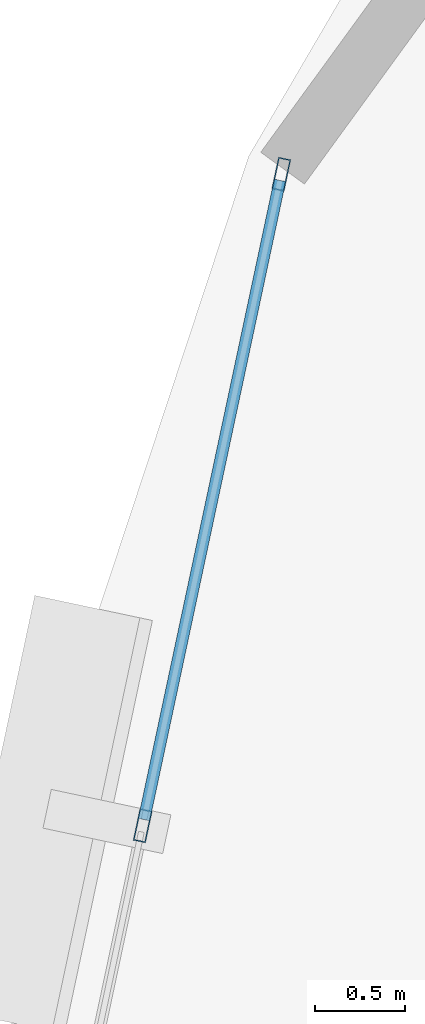
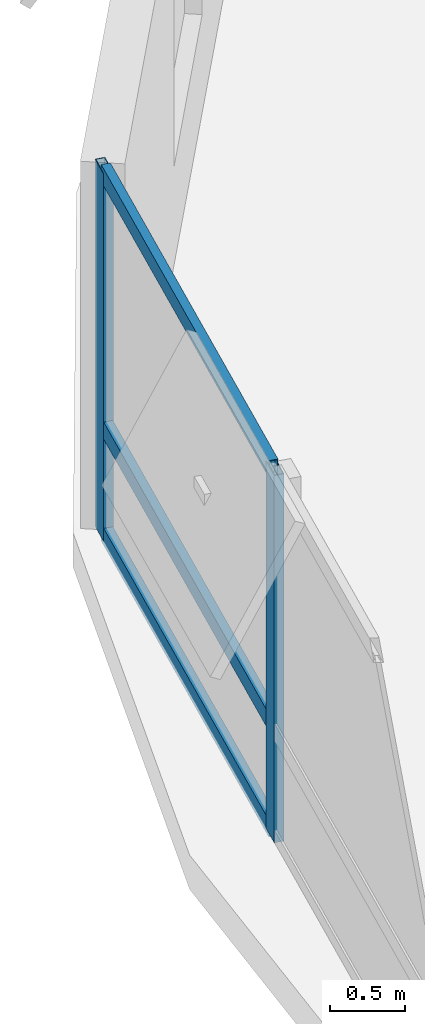
# One storey, part 6 of 17: 5 members, 1 element without a shape of its own.
"""IFC4 building model written with IfcOpenShell, lengths in metres."""

from ifc_helpers import new_model, si_unit, direction, frame, origin, origin_2d, place, context, subcontext, project, spatial, hollow_rectangle, extrude, material, layer, layer_set, material_profile, profile_set, type_object, element, aggregate, save


model = new_model("IFC4")

# Units and contexts
model_context = context("Model", 3, precision=1e-05, world=origin(), true_north=direction((0.0, 1.0)))
body_context = subcontext(model_context, "Body", "Model", "MODEL_VIEW")
ifc_project = project(units=[si_unit("LENGTHUNIT", "METRE"), si_unit("AREAUNIT", "SQUARE_METRE"), si_unit("VOLUMEUNIT", "CUBIC_METRE"), si_unit("PLANEANGLEUNIT", "RADIAN"), si_unit("MASSUNIT", "GRAM", prefix="KILO"), si_unit("THERMODYNAMICTEMPERATUREUNIT", "KELVIN"), si_unit("POWERUNIT", "WATT")], contexts=[model_context])

# Site, building, storey
site_placement = place(None, origin())
site = spatial("IfcSite", under=ifc_project, at=site_placement, CompositionType="ELEMENT")
building_placement = place(site_placement, origin())
building = spatial("IfcBuilding", under=site, at=building_placement, Name="Ocrelia Relay Tower", CompositionType="ELEMENT")
storey_placement = place(building_placement, frame((0.0, 0.0, 34.199951171875)))
storey = spatial("IfcBuildingStorey", under=building, at=storey_placement, Name="L07", CompositionType="ELEMENT", Elevation=34.199951171875)

# Curtain wall, members
ifc_material_1 = material(Name="Aluminium and solar-control low-E glass", Category="aluminium")
ifc_layer = layer(ifc_material_1, 0.179931640625, Name="Aluminium and solar-control low-E glass")
ifc_layer_set = layer_set([ifc_layer], Name="Aluminium and solar-control low-E glass")
curtain_wall_type = type_object("IfcCurtainWallType", Name="CW-SYS-Z1-DATA", PredefinedType="NOTDEFINED", material=ifc_layer_set)
curtain_wall_placement = place(storey_placement, origin())
curtain_wall = element("IfcCurtainWall", 1, at=curtain_wall_placement, inside=storey, type_object=curtain_wall_type, Name="L07 Elliptical Tower Curtain Wall Bay 09", PredefinedType="NOTDEFINED")
ifc_material_2 = material(Name="Anodised bronze aluminium", Category="aluminium")
ifc_material_profile_1 = material_profile(ifc_material_2, hollow_rectangle(XDim=0.070068359375, YDim=0.179931640625, WallThickness=0.006103515625, at=origin_2d()), Name="CW-MUL-180x70")
ifc_profile_set_1 = profile_set([ifc_material_profile_1], Name="Anodised bronze aluminium")
member_type_1 = type_object("IfcMemberType", Name="CW-SYS-Z1-DATA-MUL", PredefinedType="MULLION", material=ifc_profile_set_1)
member_1_placement = place(storey_placement, frame((7.752197265625, 32.816650390625, 0.0), z_axis=(0.0, 0.0, 1.0), x_axis=(0.978108709763, -0.208094574378, 0.0)))
member_1 = element("IfcMember", 2, at=member_1_placement, type_object=member_type_1, Name="CW-Z1 mullion 1", PredefinedType="MULLION", context=body_context, shape_type="SweptSolid", body=[
    extrude(hollow_rectangle(XDim=0.070068359375, YDim=0.179931640625, WallThickness=0.006103515625, at=origin_2d()), origin(), (0.0, 0.0, 1.0), 3.0),
])
member_2_placement = place(storey_placement, frame((6.981689453125, 29.195068359375, 0.0), z_axis=(0.0, 0.0, 1.0), x_axis=(0.978108709763, -0.208094574378, 0.0)))
member_2 = element("IfcMember", 3, at=member_2_placement, type_object=member_type_1, Name="CW-Z1 mullion 2", PredefinedType="MULLION", context=body_context, shape_type="SweptSolid", body=[
    extrude(hollow_rectangle(XDim=0.070068359375, YDim=0.179931640625, WallThickness=0.006103515625, at=origin_2d()), origin(), (0.0, 0.0, 1.0), 3.0),
])
ifc_material_profile_2 = material_profile(ifc_material_2, hollow_rectangle(XDim=0.06494140625, YDim=0.139892578125, WallThickness=0.0048828125, at=origin_2d()), Name="CW-TRN-140x65")
ifc_profile_set_2 = profile_set([ifc_material_profile_2], Name="Anodised bronze aluminium")
member_type_2 = type_object("IfcMemberType", Name="CW-SYS-Z1-DATA-TRN", PredefinedType="USERDEFINED", material=ifc_profile_set_2)
member_3_placement = place(storey_placement, frame((7.744873046875, 32.782470703125, 0.032470703125), z_axis=(-0.208133635727, -0.978100398568, 0.0), x_axis=(0.978100398568, -0.208133635727, 0.0)))
member_3 = element("IfcMember", 4, at=member_3_placement, type_object=member_type_2, Name="CW-Z1 transom 1.1", ObjectType="TRANSOM", PredefinedType="USERDEFINED", context=body_context, shape_type="SweptSolid", body=[
    extrude(hollow_rectangle(XDim=0.06494140625, YDim=0.139892578125, WallThickness=0.0048828125, at=origin_2d()), origin(), (0.0, 0.0, 1.0), 3.6328125),
])
member_4_placement = place(storey_placement, frame((7.744873046875, 32.782470703125, 0.900146484375), z_axis=(-0.208133635727, -0.978100398568, 0.0), x_axis=(0.978100398568, -0.208133635727, 0.0)))
member_4 = element("IfcMember", 5, at=member_4_placement, type_object=member_type_2, Name="CW-Z1 transom 1.2", ObjectType="TRANSOM", PredefinedType="USERDEFINED", context=body_context, shape_type="SweptSolid", body=[
    extrude(hollow_rectangle(XDim=0.06494140625, YDim=0.139892578125, WallThickness=0.0048828125, at=origin_2d()), origin(), (0.0, 0.0, 1.0), 3.6328125),
])
member_5_placement = place(storey_placement, frame((7.744873046875, 32.782470703125, 2.967529296875), z_axis=(-0.208133635727, -0.978100398568, 0.0), x_axis=(0.978100398568, -0.208133635727, 0.0)))
member_5 = element("IfcMember", 6, at=member_5_placement, type_object=member_type_2, Name="CW-Z1 transom 1.3", ObjectType="TRANSOM", PredefinedType="USERDEFINED", context=body_context, shape_type="SweptSolid", body=[
    extrude(hollow_rectangle(XDim=0.06494140625, YDim=0.139892578125, WallThickness=0.0048828125, at=origin_2d()), origin(), (0.0, 0.0, 1.0), 3.6328125),
])
aggregate(curtain_wall, [member_1, member_2, member_3, member_4, member_5])

save(model, "model.ifc")
